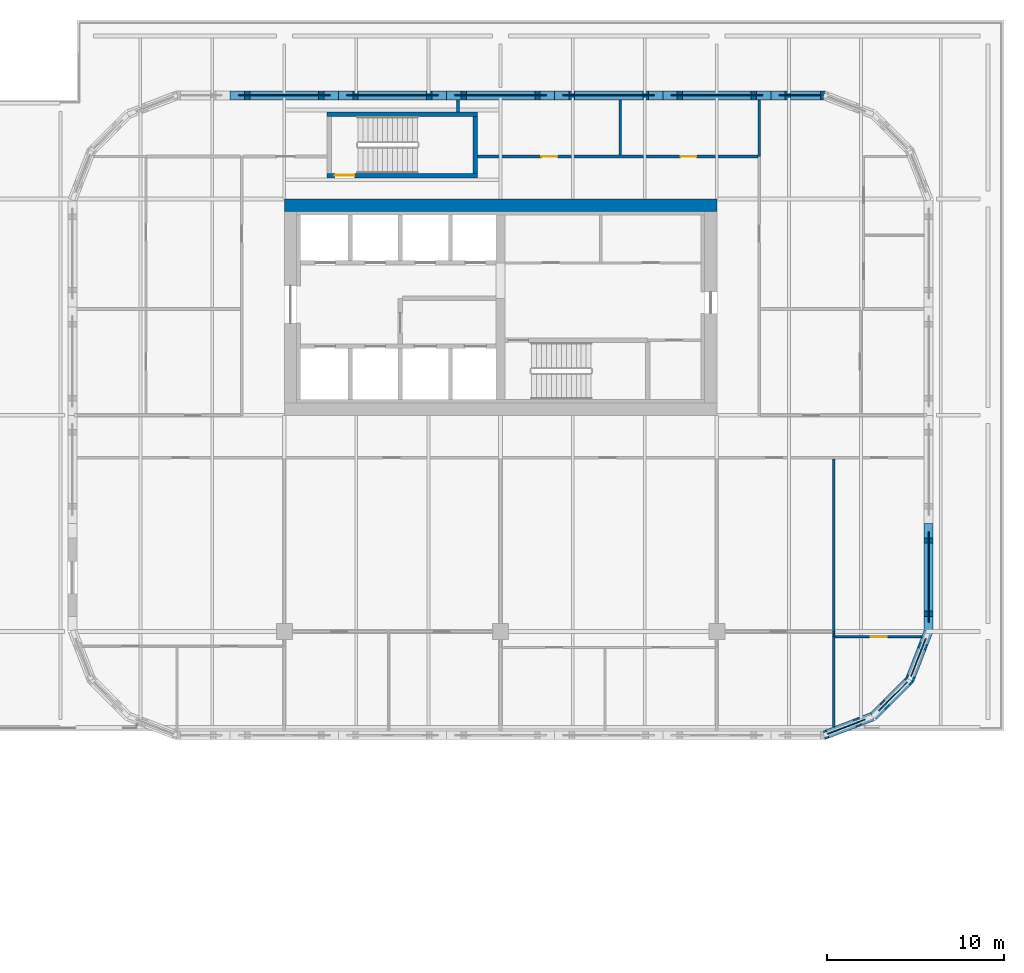
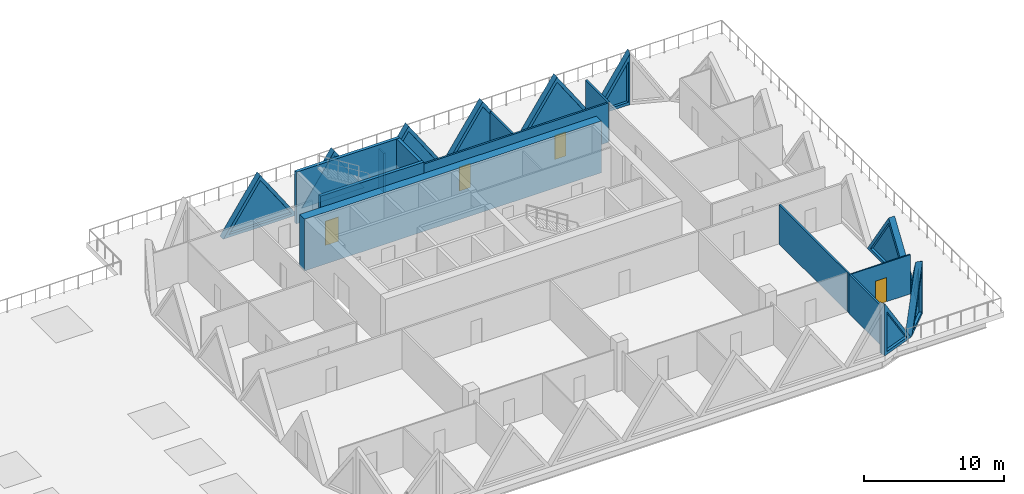
# One storey, part 16 of 21: 22 walls, 10 plates, 4 doors, 14 openings.
"""IFC4 building model written with IfcOpenShell, lengths in metres."""

from ifc_helpers import new_model, si_unit, direction, frame, frame_2d, origin, place, context, subcontext, project, spatial, polyline, rectangle, outline, extrude, faceted_brep, source, transform, mapped, material, layer, layer_set, type_object, element, fill, save


model = new_model("IFC4")

# Units and contexts
model_context = context("Model", 3, precision=1e-05, world=origin(), true_north=direction((0.0, 1.0)))
body_context = subcontext(model_context, "Body", "Model", "MODEL_VIEW")
ifc_project = project(units=[si_unit("LENGTHUNIT", "METRE"), si_unit("AREAUNIT", "SQUARE_METRE"), si_unit("VOLUMEUNIT", "CUBIC_METRE"), si_unit("PLANEANGLEUNIT", "RADIAN"), si_unit("MASSUNIT", "GRAM", prefix="KILO")], contexts=[model_context])

# Site, building, storey
site_placement = place(None, origin())
site = spatial("IfcSite", under=ifc_project, at=site_placement, CompositionType="ELEMENT")
building_placement = place(site_placement, origin())
building = spatial("IfcBuilding", under=site, at=building_placement, Name="Tessera Gate Towers", CompositionType="ELEMENT")
storey_placement = place(building_placement, frame((0.0, 0.0, 16.800048828125)))
storey = spatial("IfcBuildingStorey", under=building, at=storey_placement, Name="L03", CompositionType="ELEMENT", Elevation=16.800048828125)

# Wall, opening, door
ifc_material_1 = material(Name="Concrete C40/50", Category="concrete")
ifc_layer_1 = layer(ifc_material_1, 0.25)
ifc_layer_set_1 = layer_set([ifc_layer_1], Name="CORE ENCLOSURE WALL 250")
wall_type_1 = type_object("IfcWallType", Name="CORE ENCLOSURE WALL 250", PredefinedType="SOLIDWALL", material=ifc_layer_set_1)
wall_1_placement = place(storey_placement, frame((108.5, 50.125, 0.0), z_axis=(0.0, 0.0, 1.0), x_axis=(-1.0, 0.0, 0.0)))
wall_1 = element("IfcWall", 1, at=wall_1_placement, inside=storey, type_object=wall_type_1, Name="L03 ST7 enclosure wall", PredefinedType="SOLIDWALL", context=body_context, shape_type="SweptSolid", body=[
    extrude(rectangle(XDim=8.5, YDim=0.25, at=frame_2d((4.25, 0.0))), origin(), (0.0, 0.0, 1.0), 4.5),
])
shared_shape_1 = source(origin(), body_context, "Body", "SweptSolid", [
    extrude(rectangle(XDim=1.10009765625, YDim=2.10009765625, at=frame_2d((0.550048828125, 1.050048828125))), frame((0.0, 0.135009765625, 0.0), z_axis=(0.0, -1.0, 0.0), x_axis=(1.0, 0.0, 0.0)), (0.0, 0.0, 1.0), 0.27001953125),
])
opening_1_placement = place(wall_1_placement, frame((6.949951171875, 0.0, 0.0)))
opening_1 = element("IfcOpeningElement", 2, at=opening_1_placement, cuts=wall_1, Name="Opening SD-ST7-1", PredefinedType="OPENING", context=body_context, shape_type="MappedRepresentation", body=[
    mapped(shared_shape_1, transform((0.0, 0.0, 0.0), scale=1.0)),
])
ifc_material_2 = material(Name="Hollow steel fire door", Category="steel")
door_type_1 = type_object("IfcDoorType", Name="CORE DOOR SD1100 1100x2100", OperationType="NOTDEFINED", PredefinedType="DOOR", material=ifc_material_2)
shared_shape_2 = source(origin(), body_context, "Body", "SweptSolid", [
    extrude(rectangle(XDim=1.10009765625, YDim=2.10009765625, at=frame_2d((0.550048828125, 1.050048828125))), frame((0.0, 0.02490234375, 0.0), z_axis=(0.0, -1.0, 0.0), x_axis=(1.0, 0.0, 0.0)), (0.0, 0.0, 1.0), 0.050048828125),
])
door_1_placement = place(opening_1_placement, origin())
door_1 = element("IfcDoor", 3, at=door_1_placement, inside=storey, type_object=door_type_1, Name="Stair door", OperationType="SINGLE_SWING_RIGHT", OverallHeight=2.10009765625, OverallWidth=1.10009765625, PredefinedType="DOOR", context=body_context, shape_type="MappedRepresentation", body=[
    mapped(shared_shape_2, transform((0.0, 0.0, 0.0), scale=1.0)),
])
fill(opening_1, door_1)

# Walls
wall_2_placement = place(storey_placement, frame((100.0, 53.574951171875, 0.0), z_axis=(0.0, 0.0, 1.0), x_axis=(1.0, 0.0, 0.0)))
element("IfcWall", 4, at=wall_2_placement, inside=storey, type_object=wall_type_1, Name="L03 ST7 enclosure wall", PredefinedType="SOLIDWALL", context=body_context, shape_type="SweptSolid", body=[
    extrude(rectangle(XDim=8.5, YDim=0.25, at=frame_2d((4.25, 0.0))), origin(), (0.0, 0.0, 1.0), 4.5),
])
wall_3_placement = place(storey_placement, frame((108.375, 53.449951171875, 0.0), z_axis=(0.0, 0.0, 1.0), x_axis=(0.0, -1.0, 0.0)))
element("IfcWall", 5, at=wall_3_placement, inside=storey, type_object=wall_type_1, Name="L03 ST7 enclosure wall", PredefinedType="SOLIDWALL", context=body_context, shape_type="SweptSolid", body=[
    extrude(rectangle(XDim=3.199951171875, YDim=0.25, at=frame_2d((1.60009765625, 0.0))), origin(), (0.0, 0.0, 1.0), 4.5),
])
ifc_material_3 = material(Name="Concrete C60/75", Category="concrete")
ifc_layer_2 = layer(ifc_material_3, 0.699951171875)
ifc_layer_set_2 = layer_set([ifc_layer_2], Name="CORE SHEAR WALL 700 C60/75")
wall_type_2 = type_object("IfcWallType", Name="CORE SHEAR WALL 700 C60/75", PredefinedType="SHEAR", material=ifc_layer_set_2)
wall_4_placement = place(storey_placement, frame((97.60009765625, 48.449951171875, 0.0), z_axis=(0.0, 0.0, 1.0), x_axis=(1.0, 0.0, 0.0)))
element("IfcWall", 6, at=wall_4_placement, inside=storey, type_object=wall_type_2, Name="Core wall N L03", PredefinedType="SHEAR", context=body_context, shape_type="SweptSolid", body=[
    extrude(rectangle(XDim=24.39990234375, YDim=0.699951171875, at=frame_2d((12.199951171875, 0.0))), origin(), (0.0, 0.0, 1.0), 4.5),
])

# Wall, openings, doors
ifc_material_4 = material(Name="Gypsum board on steel studs, mineral wool", Category="steel")
ifc_layer_3 = layer(ifc_material_4, 0.14990234375)
ifc_layer_set_3 = layer_set([ifc_layer_3], Name="CORRIDOR WALL 150")
wall_type_3 = type_object("IfcWallType", Name="CORRIDOR WALL 150", PredefinedType="PARTITIONING", material=ifc_layer_set_3)
wall_5_placement = place(storey_placement, frame((108.5, 51.199951171875, 0.0), z_axis=(0.0, 0.0, 1.0), x_axis=(1.0, 0.0, 0.0)))
wall_5 = element("IfcWall", 7, at=wall_5_placement, inside=storey, type_object=wall_type_3, Name="T2-L03-PW-038", PredefinedType="PARTITIONING", context=body_context, shape_type="SweptSolid", body=[
    extrude(rectangle(XDim=15.823974609375, YDim=0.14990234375, at=frame_2d((7.912109375, 0.0))), origin(), (0.0, 0.0, 1.0), 3.4150390625),
])
shared_shape_3 = source(origin(), body_context, "Body", "SweptSolid", [
    extrude(rectangle(XDim=0.89990234375, YDim=2.10009765625, at=frame_2d((0.449951171875, 1.050048828125))), frame((0.0, 0.0849609375, 0.0), z_axis=(0.0, -1.0, 0.0), x_axis=(1.0, 0.0, 0.0)), (0.0, 0.0, 1.0), 0.169921875),
])
opening_2_placement = place(wall_5_placement, frame((11.450927734375, 0.0, 0.0)))
opening_2 = element("IfcOpeningElement", 8, at=opening_2_placement, cuts=wall_5, Name="Opening D890FD60-B01-03", PredefinedType="OPENING", context=body_context, shape_type="MappedRepresentation", body=[
    mapped(shared_shape_3, transform((0.0, 0.0, 0.0), scale=1.0)),
])
opening_3_placement = place(wall_5_placement, frame((3.60009765625, 0.0, 0.0)))
opening_3 = element("IfcOpeningElement", 9, at=opening_3_placement, cuts=wall_5, Name="Opening D890FD60-B01-04", PredefinedType="OPENING", context=body_context, shape_type="MappedRepresentation", body=[
    mapped(shared_shape_3, transform((0.0, 0.0, 0.0), scale=1.0)),
])
ifc_material_5 = material(Name="Timber door leaf in steel frame", Category="steel")
door_type_2 = type_object("IfcDoorType", Name="CORRIDOR DOOR 900 FD60", OperationType="NOTDEFINED", PredefinedType="DOOR", material=ifc_material_5)
shared_shape_4 = source(origin(), body_context, "Body", "SweptSolid", [
    extrude(rectangle(XDim=0.89990234375, YDim=2.10009765625, at=frame_2d((0.449951171875, 1.050048828125))), frame((0.0, 0.02490234375, 0.0), z_axis=(0.0, -1.0, 0.0), x_axis=(1.0, 0.0, 0.0)), (0.0, 0.0, 1.0), 0.050048828125),
])
door_2_placement = place(opening_2_placement, origin())
door_2 = element("IfcDoor", 10, at=door_2_placement, inside=storey, type_object=door_type_2, Name="T2-L03-PD-016", OperationType="SINGLE_SWING_LEFT", OverallHeight=2.10009765625, OverallWidth=0.89990234375, PredefinedType="DOOR", context=body_context, shape_type="MappedRepresentation", body=[
    mapped(shared_shape_4, transform((0.0, 0.0, 0.0), scale=1.0)),
])
fill(opening_2, door_2)
door_3_placement = place(opening_3_placement, origin())
door_3 = element("IfcDoor", 11, at=door_3_placement, inside=storey, type_object=door_type_2, Name="T2-L03-PD-017", OperationType="SINGLE_SWING_LEFT", OverallHeight=2.10009765625, OverallWidth=0.89990234375, PredefinedType="DOOR", context=body_context, shape_type="MappedRepresentation", body=[
    mapped(shared_shape_4, transform((0.0, 0.0, 0.0), scale=1.0)),
])
fill(opening_3, door_3)

# Wall, opening, door
ifc_material_6 = material(Name="Glass", Category="glass")
ifc_layer_4 = layer(ifc_material_6, 0.10009765625)
ifc_layer_set_4 = layer_set([ifc_layer_4], Name="GLAZED PARTITION 100")
wall_type_4 = type_object("IfcWallType", Name="GLAZED PARTITION 100", PredefinedType="PARTITIONING", material=ifc_layer_set_4)
wall_6_placement = place(storey_placement, frame((133.55419921875, 24.114990234375, 0.0), z_axis=(0.0, 0.0, 1.0), x_axis=(-1.0, 0.0, 0.0)))
wall_6 = element("IfcWall", 12, at=wall_6_placement, inside=storey, type_object=wall_type_4, Name="T2-L03-PW-013", PredefinedType="PARTITIONING", context=body_context, shape_type="SweptSolid", body=[
    extrude(rectangle(XDim=4.878173828125, YDim=0.10009765625, at=frame_2d((2.43896484375, 0.0))), origin(), (0.0, 0.0, 1.0), 3.4150390625),
])
shared_shape_5 = source(origin(), body_context, "Body", "SweptSolid", [
    extrude(rectangle(XDim=0.89990234375, YDim=2.10009765625, at=frame_2d((0.449951171875, 1.050048828125))), frame((0.0, 0.06005859375, 0.0), z_axis=(0.0, -1.0, 0.0), x_axis=(1.0, 0.0, 0.0)), (0.0, 0.0, 1.0), 0.1201171875),
])
opening_4_placement = place(wall_6_placement, frame((1.97802734375, 0.0, 0.0)))
opening_4 = element("IfcOpeningElement", 13, at=opening_4_placement, cuts=wall_6, Name="Opening D690-B01-01", PredefinedType="OPENING", context=body_context, shape_type="MappedRepresentation", body=[
    mapped(shared_shape_5, transform((0.0, 0.0, 0.0), scale=1.0)),
])
ifc_material_7 = material(Name="Glass in aluminium frame", Category="aluminium")
door_type_3 = type_object("IfcDoorType", Name="GLAZED DOOR 900 NOT RATED", OperationType="NOTDEFINED", PredefinedType="DOOR", material=ifc_material_7)
door_4_placement = place(opening_4_placement, origin())
door_4 = element("IfcDoor", 14, at=door_4_placement, inside=storey, type_object=door_type_3, Name="T2-L03-PD-003", OperationType="SINGLE_SWING_RIGHT", OverallHeight=2.10009765625, OverallWidth=0.89990234375, PredefinedType="DOOR", context=body_context, shape_type="MappedRepresentation", body=[
    mapped(shared_shape_4, transform((0.0, 0.0, 0.0), scale=1.0)),
])
fill(opening_4, door_4)

# Walls
wall_7_placement = place(storey_placement, frame((128.60009765625, 24.115966796875, 0.0), z_axis=(0.0, 0.0, 1.0), x_axis=(0.0, 1.0, 0.0)))
element("IfcWall", 15, at=wall_7_placement, inside=storey, type_object=wall_type_4, Name="T2-L03-PW-014", PredefinedType="PARTITIONING", context=body_context, shape_type="SweptSolid", body=[
    extrude(rectangle(XDim=0.282958984375, YDim=0.10009765625, at=frame_2d((0.1416015625, 0.0))), origin(), (0.0, 0.0, 1.0), 3.4150390625),
])
ifc_material_8 = material(Name="Gypsum board on steel studs, mineral wool", Category="steel")
ifc_layer_5 = layer(ifc_material_8, 0.14990234375)
ifc_layer_set_5 = layer_set([ifc_layer_5], Name="TENANCY WALL 150")
wall_type_5 = type_object("IfcWallType", Name="TENANCY WALL 150", PredefinedType="PARTITIONING", material=ifc_layer_set_5)
wall_8_placement = place(storey_placement, frame((128.60009765625, 19.02880859375, 0.0), z_axis=(0.0, 0.0, 1.0), x_axis=(0.0, 1.0, 0.0)))
element("IfcWall", 16, at=wall_8_placement, inside=storey, type_object=wall_type_5, Name="T2-L03-PW-007", PredefinedType="PARTITIONING", context=body_context, shape_type="SweptSolid", body=[
    extrude(rectangle(XDim=5.086181640625, YDim=0.14990234375, at=frame_2d((2.54296875, 0.0))), origin(), (0.0, 0.0, 1.0), 3.4150390625),
])
wall_9_placement = place(storey_placement, frame((128.60009765625, 24.39990234375, 0.0), z_axis=(0.0, 0.0, 1.0), x_axis=(0.0, 1.0, 0.0)))
element("IfcWall", 17, at=wall_9_placement, inside=storey, type_object=wall_type_5, Name="T2-L03-PW-018", PredefinedType="PARTITIONING", context=body_context, shape_type="SweptSolid", body=[
    extrude(rectangle(XDim=9.72412109375, YDim=0.14990234375, at=frame_2d((4.862060546875, 0.0))), origin(), (0.0, 0.0, 1.0), 3.4150390625),
])
wall_10_placement = place(storey_placement, frame((124.39990234375, 51.200927734375, 0.0), z_axis=(0.0, 0.0, 1.0), x_axis=(0.0, 1.0, 0.0)))
element("IfcWall", 18, at=wall_10_placement, inside=storey, type_object=wall_type_5, Name="T2-L03-PW-039", PredefinedType="PARTITIONING", context=body_context, shape_type="SweptSolid", body=[
    extrude(rectangle(XDim=3.198974609375, YDim=0.14990234375, at=frame_2d((1.599609375, 0.0))), origin(), (0.0, 0.0, 1.0), 3.4150390625),
])
wall_11_placement = place(storey_placement, frame((116.550048828125, 51.27587890625, 0.0), z_axis=(0.0, 0.0, 1.0), x_axis=(0.0, 1.0, 0.0)))
element("IfcWall", 19, at=wall_11_placement, inside=storey, type_object=wall_type_5, Name="T2-L03-PW-041", PredefinedType="PARTITIONING", context=body_context, shape_type="SweptSolid", body=[
    extrude(rectangle(XDim=3.1240234375, YDim=0.14990234375, at=frame_2d((1.56201171875, 0.0))), origin(), (0.0, 0.0, 1.0), 3.4150390625),
])
wall_12_placement = place(storey_placement, frame((107.39990234375, 53.699951171875, 0.0), z_axis=(0.0, 0.0, 1.0), x_axis=(0.0, 1.0, 0.0)))
element("IfcWall", 20, at=wall_12_placement, inside=storey, type_object=wall_type_5, Name="T2-L03-PW-042", PredefinedType="PARTITIONING", context=body_context, shape_type="SweptSolid", body=[
    extrude(rectangle(XDim=0.699951171875, YDim=0.14990234375, at=frame_2d((0.35009765625, 0.0))), origin(), (0.0, 0.0, 1.0), 3.4150390625),
])

# Wall, opening, plate
ifc_material_9 = material(Name="Precast concrete C60/75 white", Category="concrete")
ifc_layer_6 = layer(ifc_material_9, 0.5)
ifc_layer_set_6 = layer_set([ifc_layer_6], Name="TS3 corner tessera")
wall_type_6 = type_object("IfcWallType", Name="TS3 corner tessera", PredefinedType="SOLIDWALL", material=ifc_layer_set_6)
shared_shape_6 = source(origin(), body_context, "Body", "Brep", [
    faceted_brep([(3.050048828125, -0.25, 0.0), (0.046630859375, -0.25, 4.5), (0.0, -0.25, 4.428955078125), (0.0, -0.25, 0.0), (0.09326171875, 0.25, 4.43017578125), (3.050048828125, 0.25, 0.0), (0.09326171875, 0.25, 0.0), (0.046630859375, 0.0, 4.5)], [[[0, 1, 2, 3]], [[4, 5, 6]], [[5, 4, 7, 1, 0]], [[2, 1, 7]], [[6, 5, 0, 3]], [[6, 3, 2, 7, 4]]]),
])
wall_13_placement = place(storey_placement, frame((128.10009765625, 54.64990234375, 0.0), z_axis=(0.0, 0.0, 1.0), x_axis=(-1.0, 0.0, 0.0)))
wall_13 = element("IfcWall", 21, at=wall_13_placement, inside=storey, type_object=wall_type_6, Name="Precast corner tessera T2 TS3-0010", PredefinedType="SOLIDWALL", context=body_context, shape_type="MappedRepresentation", body=[
    mapped(shared_shape_6, transform((0.0, 0.0, 0.0), scale=1.0)),
])
shared_shape_7 = source(origin(), body_context, "Body", "SweptSolid", [
    extrude(outline(polyline([(2.582763671875, 0.25), (0.24658203125, 3.75), (0.24658203125, 0.25), (2.582763671875, 0.25)])), frame((0.0, 0.260009765625, 0.0), z_axis=(0.0, -1.0, 0.0), x_axis=(1.0, 0.0, 0.0)), (0.0, 0.0, 1.0), 0.52001953125),
])
opening_5_placement = place(wall_13_placement, origin())
opening_5 = element("IfcOpeningElement", 22, at=opening_5_placement, cuts=wall_13, Name="Opening T2-PL1-0019", PredefinedType="OPENING", context=body_context, shape_type="MappedRepresentation", body=[
    mapped(shared_shape_7, transform((0.0, 0.0, 0.0), scale=1.0)),
])
ifc_material_10 = material(Name="Low-e laminated glass", Category="glass")
ifc_layer_7 = layer(ifc_material_10, 0.06005859375)
ifc_layer_set_7 = layer_set([ifc_layer_7], Name="PL1 triangular pane")
plate_type = type_object("IfcPlateType", Name="PL1 triangular pane", PredefinedType="SHEET", material=ifc_layer_set_7)
shared_shape_8 = source(origin(), body_context, "Body", "SweptSolid", [
    extrude(outline(polyline([(2.582763671875, 0.25), (0.24658203125, 3.75), (0.24658203125, 0.25), (2.582763671875, 0.25)])), frame((0.0, 0.030029296875, 0.0), z_axis=(0.0, -1.0, 0.0), x_axis=(1.0, 0.0, 0.0)), (0.0, 0.0, 1.0), 0.06005859375),
])
plate_1_placement = place(opening_5_placement, origin())
plate_1 = element("IfcPlate", 23, at=plate_1_placement, inside=storey, type_object=plate_type, Name="Glass pane T2 PL1-0019", PredefinedType="SHEET", context=body_context, shape_type="MappedRepresentation", body=[
    mapped(shared_shape_8, transform((0.0, 0.0, 0.0), scale=1.0)),
])
fill(opening_5, plate_1)

ifc_material_11 = material(Name="Precast concrete C60/75 white", Category="concrete")
ifc_layer_8 = layer(ifc_material_11, 0.5)
ifc_layer_set_8 = layer_set([ifc_layer_8], Name="TS2 half tessera")
wall_type_7 = type_object("IfcWallType", Name="TS2 half tessera", PredefinedType="SOLIDWALL", material=ifc_layer_set_8)
shared_shape_9 = source(origin(), body_context, "Body", "Brep", [
    faceted_brep([(6.099853515625, -0.25, 0.000244140625), (3.050048828125, -0.25, 4.5), (0.0, -0.25, 0.0), (6.099853515625, -0.25, 0.0), (0.0, 0.25, 0.0), (3.050048828125, 0.25, 4.5), (6.099853515625, 0.25, 0.000244140625), (6.099853515625, 0.25, 0.0)], [[[0, 1, 2, 3]], [[4, 5, 6, 7]], [[6, 5, 1, 0]], [[5, 4, 2, 1]], [[4, 7, 3, 2]], [[3, 7, 6, 0]]]),
])
wall_14_placement = place(storey_placement, frame((118.949951171875, 54.64990234375, 0.0), z_axis=(0.0, 0.0, 1.0), x_axis=(-1.0, 0.0, 0.0)))
wall_14 = element("IfcWall", 24, at=wall_14_placement, inside=storey, type_object=wall_type_7, Name="Precast half tessera T2 TS2-0011", PredefinedType="SOLIDWALL", context=body_context, shape_type="MappedRepresentation", body=[
    mapped(shared_shape_9, transform((0.0, 0.0, 0.0), scale=1.0)),
])
shared_shape_10 = source(origin(), body_context, "Body", "SweptSolid", [
    extrude(outline(polyline([(5.628662109375, 0.25), (3.050048828125, 4.054443359375), (0.471435546875, 0.25), (5.628662109375, 0.25)])), frame((0.0, 0.260009765625, 0.0), z_axis=(0.0, -1.0, 0.0), x_axis=(1.0, 0.0, 0.0)), (0.0, 0.0, 1.0), 0.52001953125),
])
opening_6_placement = place(wall_14_placement, origin())
opening_6 = element("IfcOpeningElement", 25, at=opening_6_placement, cuts=wall_14, Name="Opening T2-PL1-0021", PredefinedType="OPENING", context=body_context, shape_type="MappedRepresentation", body=[
    mapped(shared_shape_10, transform((0.0, 0.0, 0.0), scale=1.0)),
])
shared_shape_11 = source(origin(), body_context, "Body", "SweptSolid", [
    extrude(outline(polyline([(5.628662109375, 0.25), (3.050048828125, 4.054443359375), (0.471435546875, 0.25), (5.628662109375, 0.25)])), frame((0.0, 0.030029296875, 0.0), z_axis=(0.0, -1.0, 0.0), x_axis=(1.0, 0.0, 0.0)), (0.0, 0.0, 1.0), 0.06005859375),
])
plate_2_placement = place(opening_6_placement, origin())
plate_2 = element("IfcPlate", 26, at=plate_2_placement, inside=storey, type_object=plate_type, Name="Glass pane T2 PL1-0021", PredefinedType="SHEET", context=body_context, shape_type="MappedRepresentation", body=[
    mapped(shared_shape_11, transform((0.0, 0.0, 0.0), scale=1.0)),
])
fill(opening_6, plate_2)

wall_15_placement = place(storey_placement, frame((100.64990234375, 54.64990234375, 0.0), z_axis=(0.0, 0.0, 1.0), x_axis=(-1.0, 0.0, 0.0)))
wall_15 = element("IfcWall", 27, at=wall_15_placement, inside=storey, type_object=wall_type_7, Name="Precast half tessera T2 TS2-0014", PredefinedType="SOLIDWALL", context=body_context, shape_type="MappedRepresentation", body=[
    mapped(shared_shape_9, transform((0.0, 0.0, 0.0), scale=1.0)),
])
opening_7_placement = place(wall_15_placement, origin())
opening_7 = element("IfcOpeningElement", 28, at=opening_7_placement, cuts=wall_15, Name="Opening T2-PL1-0024", PredefinedType="OPENING", context=body_context, shape_type="MappedRepresentation", body=[
    mapped(shared_shape_10, transform((0.0, 0.0, 0.0), scale=1.0)),
])
plate_3_placement = place(opening_7_placement, origin())
plate_3 = element("IfcPlate", 29, at=plate_3_placement, inside=storey, type_object=plate_type, Name="Glass pane T2 PL1-0024", PredefinedType="SHEET", context=body_context, shape_type="MappedRepresentation", body=[
    mapped(shared_shape_11, transform((0.0, 0.0, 0.0), scale=1.0)),
])
fill(opening_7, plate_3)

shared_shape_12 = source(origin(), body_context, "Body", "SweptSolid", [
    extrude(outline(polyline([(6.10009765625, 0.0), (3.050048828125, 4.5), (0.0, 0.0), (6.10009765625, 0.0)])), frame((0.0, 0.25, 0.0), z_axis=(0.0, -1.0, 0.0), x_axis=(1.0, 0.0, 0.0)), (0.0, 0.0, 1.0), 0.5),
])
wall_16_placement = place(storey_placement, frame((125.050048828125, 54.64990234375, 0.0), z_axis=(0.0, 0.0, 1.0), x_axis=(-1.0, 0.0, 0.0)))
wall_16 = element("IfcWall", 30, at=wall_16_placement, inside=storey, type_object=wall_type_7, Name="Precast half tessera T2 TS2-0010", PredefinedType="SOLIDWALL", context=body_context, shape_type="MappedRepresentation", body=[
    mapped(shared_shape_12, transform((0.0, 0.0, 0.0), scale=1.0)),
])
opening_8_placement = place(wall_16_placement, origin())
opening_8 = element("IfcOpeningElement", 31, at=opening_8_placement, cuts=wall_16, Name="Opening T2-PL1-0020", PredefinedType="OPENING", context=body_context, shape_type="MappedRepresentation", body=[
    mapped(shared_shape_10, transform((0.0, 0.0, 0.0), scale=1.0)),
])
plate_4_placement = place(opening_8_placement, origin())
plate_4 = element("IfcPlate", 32, at=plate_4_placement, inside=storey, type_object=plate_type, Name="Glass pane T2 PL1-0020", PredefinedType="SHEET", context=body_context, shape_type="MappedRepresentation", body=[
    mapped(shared_shape_11, transform((0.0, 0.0, 0.0), scale=1.0)),
])
fill(opening_8, plate_4)

wall_17_placement = place(storey_placement, frame((112.85009765625, 54.64990234375, 0.0), z_axis=(0.0, 0.0, 1.0), x_axis=(-1.0, 0.0, 0.0)))
wall_17 = element("IfcWall", 33, at=wall_17_placement, inside=storey, type_object=wall_type_7, Name="Precast half tessera T2 TS2-0012", PredefinedType="SOLIDWALL", context=body_context, shape_type="MappedRepresentation", body=[
    mapped(shared_shape_12, transform((0.0, 0.0, 0.0), scale=1.0)),
])
opening_9_placement = place(wall_17_placement, origin())
opening_9 = element("IfcOpeningElement", 34, at=opening_9_placement, cuts=wall_17, Name="Opening T2-PL1-0022", PredefinedType="OPENING", context=body_context, shape_type="MappedRepresentation", body=[
    mapped(shared_shape_10, transform((0.0, 0.0, 0.0), scale=1.0)),
])
plate_5_placement = place(opening_9_placement, origin())
plate_5 = element("IfcPlate", 35, at=plate_5_placement, inside=storey, type_object=plate_type, Name="Glass pane T2 PL1-0022", PredefinedType="SHEET", context=body_context, shape_type="MappedRepresentation", body=[
    mapped(shared_shape_11, transform((0.0, 0.0, 0.0), scale=1.0)),
])
fill(opening_9, plate_5)

wall_18_placement = place(storey_placement, frame((106.75, 54.64990234375, 0.0), z_axis=(0.0, 0.0, 1.0), x_axis=(-1.0, 0.0, 0.0)))
wall_18 = element("IfcWall", 36, at=wall_18_placement, inside=storey, type_object=wall_type_7, Name="Precast half tessera T2 TS2-0013", PredefinedType="SOLIDWALL", context=body_context, shape_type="MappedRepresentation", body=[
    mapped(shared_shape_12, transform((0.0, 0.0, 0.0), scale=1.0)),
])
opening_10_placement = place(wall_18_placement, origin())
opening_10 = element("IfcOpeningElement", 37, at=opening_10_placement, cuts=wall_18, Name="Opening T2-PL1-0023", PredefinedType="OPENING", context=body_context, shape_type="MappedRepresentation", body=[
    mapped(shared_shape_10, transform((0.0, 0.0, 0.0), scale=1.0)),
])
plate_6_placement = place(opening_10_placement, origin())
plate_6 = element("IfcPlate", 38, at=plate_6_placement, inside=storey, type_object=plate_type, Name="Glass pane T2 PL1-0023", PredefinedType="SHEET", context=body_context, shape_type="MappedRepresentation", body=[
    mapped(shared_shape_11, transform((0.0, 0.0, 0.0), scale=1.0)),
])
fill(opening_10, plate_6)

shared_shape_13 = source(origin(), body_context, "Body", "Brep", [
    faceted_brep([(2.9970703125, -0.25, 0.0), (0.046630859375, -0.25, 4.5), (0.0, -0.25, 4.43017578125), (0.0, -0.25, 0.0), (0.09326171875, 0.25, 4.428955078125), (2.9443359375, 0.25, 0.08056640625), (2.9443359375, 0.25, 0.0), (0.09326171875, 0.25, 0.0), (0.046630859375, 0.0, 4.5), (2.9970703125, 0.00048828125, 0.0)], [[[0, 1, 2, 3]], [[4, 5, 6, 7]], [[5, 4, 8, 1, 0, 9]], [[2, 1, 8]], [[7, 6, 9, 0, 3]], [[7, 3, 2, 8, 4]], [[9, 6, 5]]]),
])
wall_19_placement = place(storey_placement, frame((128.010009765625, 18.533203125, 0.0), z_axis=(0.0, 0.0, 1.0), x_axis=(0.932990326376, 0.359901446078, 0.0)))
wall_19 = element("IfcWall", 39, at=wall_19_placement, inside=storey, type_object=wall_type_6, Name="Precast corner tessera T2 TS3-0004", PredefinedType="SOLIDWALL", context=body_context, shape_type="MappedRepresentation", body=[
    mapped(shared_shape_13, transform((0.0, 0.0, 0.0), scale=1.0)),
])
shared_shape_14 = source(origin(), body_context, "Body", "SweptSolid", [
    extrude(outline(polyline([(2.5341796875, 0.25), (0.24658203125, 3.739013671875), (0.24658203125, 0.25), (2.5341796875, 0.25)])), frame((0.0, 0.260009765625, 0.0), z_axis=(0.0, -1.0, 0.0), x_axis=(1.0, 0.0, 0.0)), (0.0, 0.0, 1.0), 0.52001953125),
])
opening_11_placement = place(wall_19_placement, origin())
opening_11 = element("IfcOpeningElement", 40, at=opening_11_placement, cuts=wall_19, Name="Opening T2-PL1-0009", PredefinedType="OPENING", context=body_context, shape_type="MappedRepresentation", body=[
    mapped(shared_shape_14, transform((0.0, 0.0, 0.0), scale=1.0)),
])
shared_shape_15 = source(origin(), body_context, "Body", "SweptSolid", [
    extrude(outline(polyline([(2.5341796875, 0.25), (0.24658203125, 3.739013671875), (0.24658203125, 0.25), (2.5341796875, 0.25)])), frame((0.0, 0.030029296875, 0.0), z_axis=(0.0, -1.0, 0.0), x_axis=(1.0, 0.0, 0.0)), (0.0, 0.0, 1.0), 0.06005859375),
])
plate_7_placement = place(opening_11_placement, origin())
plate_7 = element("IfcPlate", 41, at=plate_7_placement, inside=storey, type_object=plate_type, Name="Glass pane T2 PL1-0009", PredefinedType="SHEET", context=body_context, shape_type="MappedRepresentation", body=[
    mapped(shared_shape_15, transform((0.0, 0.0, 0.0), scale=1.0)),
])
fill(opening_11, plate_7)

shared_shape_16 = source(origin(), body_context, "Body", "Brep", [
    faceted_brep([(6.053466796875, -0.25, 0.0), (3.00341796875, -0.25, 4.5), (0.0, -0.25, 0.0), (0.046630859375, 0.25, 0.06982421875), (3.00341796875, 0.25, 4.5), (6.053466796875, 0.25, 0.0), (0.046630859375, 0.25, 0.0), (0.0, 0.0, 0.0)], [[[0, 1, 2]], [[3, 4, 5, 6]], [[5, 4, 1, 0]], [[4, 3, 7, 2, 1]], [[6, 5, 0, 2, 7]], [[6, 7, 3]]]),
])
wall_20_placement = place(storey_placement, frame((133.949951171875, 24.446533203125, 0.0), z_axis=(0.0, 0.0, 1.0), x_axis=(0.0, 1.0, 0.0)))
wall_20 = element("IfcWall", 42, at=wall_20_placement, inside=storey, type_object=wall_type_7, Name="Precast half tessera T2 TS2-0006", PredefinedType="SOLIDWALL", context=body_context, shape_type="MappedRepresentation", body=[
    mapped(shared_shape_16, transform((0.0, 0.0, 0.0), scale=1.0)),
])
shared_shape_17 = source(origin(), body_context, "Body", "SweptSolid", [
    extrude(outline(polyline([(5.58203125, 0.25), (3.005126953125, 4.052001953125), (0.467529296875, 0.25), (5.58203125, 0.25)])), frame((0.0, 0.260009765625, 0.0), z_axis=(0.0, -1.0, 0.0), x_axis=(1.0, 0.0, 0.0)), (0.0, 0.0, 1.0), 0.52001953125),
])
opening_12_placement = place(wall_20_placement, origin())
opening_12 = element("IfcOpeningElement", 43, at=opening_12_placement, cuts=wall_20, Name="Opening T2-PL1-0012", PredefinedType="OPENING", context=body_context, shape_type="MappedRepresentation", body=[
    mapped(shared_shape_17, transform((0.0, 0.0, 0.0), scale=1.0)),
])
shared_shape_18 = source(origin(), body_context, "Body", "SweptSolid", [
    extrude(outline(polyline([(5.58203125, 0.25), (3.005126953125, 4.052001953125), (0.467529296875, 0.25), (5.58203125, 0.25)])), frame((0.0, 0.030029296875, 0.0), z_axis=(0.0, -1.0, 0.0), x_axis=(1.0, 0.0, 0.0)), (0.0, 0.0, 1.0), 0.06005859375),
])
plate_8_placement = place(opening_12_placement, origin())
plate_8 = element("IfcPlate", 44, at=plate_8_placement, inside=storey, type_object=plate_type, Name="Glass pane T2 PL1-0012", PredefinedType="SHEET", context=body_context, shape_type="MappedRepresentation", body=[
    mapped(shared_shape_18, transform((0.0, 0.0, 0.0), scale=1.0)),
])
fill(opening_12, plate_8)

shared_shape_19 = source(origin(), body_context, "Body", "Brep", [
    faceted_brep([(2.9970703125, -0.25, 4.419189453125), (2.944091796875, -0.25, 4.5), (0.0, -0.25, 0.0), (2.9970703125, -0.25, 0.0), (0.052978515625, 0.25, 0.080810546875), (2.89111328125, 0.25, 4.419189453125), (2.89111328125, 0.25, 0.0), (0.052978515625, 0.25, 0.0), (2.944091796875, 0.000244140625, 4.5), (0.0, 0.0, 0.0)], [[[0, 1, 2, 3]], [[4, 5, 6, 7]], [[8, 1, 0]], [[5, 4, 9, 2, 1, 8]], [[7, 6, 3, 2, 9]], [[7, 9, 4]], [[3, 6, 5, 8, 0]]]),
])
wall_21_placement = place(storey_placement, frame((130.80615234375, 19.61181640625, 0.0), z_axis=(0.0, 0.0, 1.0), x_axis=(0.707106781187, 0.707106781187, 0.0)))
wall_21 = element("IfcWall", 45, at=wall_21_placement, inside=storey, type_object=wall_type_6, Name="Precast corner tessera T2 TS3-0005", PredefinedType="SOLIDWALL", context=body_context, shape_type="MappedRepresentation", body=[
    mapped(shared_shape_19, transform((0.0, 0.0, 0.0), scale=1.0)),
])
shared_shape_20 = source(origin(), body_context, "Body", "SweptSolid", [
    extrude(outline(polyline([(2.744140625, 3.737548828125), (0.46240234375, 0.25), (2.744140625, 0.25), (2.744140625, 3.737548828125)])), frame((0.0, 0.260009765625, 0.0), z_axis=(0.0, -1.0, 0.0), x_axis=(1.0, 0.0, 0.0)), (0.0, 0.0, 1.0), 0.52001953125),
])
opening_13_placement = place(wall_21_placement, origin())
opening_13 = element("IfcOpeningElement", 46, at=opening_13_placement, cuts=wall_21, Name="Opening T2-PL1-0010", PredefinedType="OPENING", context=body_context, shape_type="MappedRepresentation", body=[
    mapped(shared_shape_20, transform((0.0, 0.0, 0.0), scale=1.0)),
])
shared_shape_21 = source(origin(), body_context, "Body", "SweptSolid", [
    extrude(outline(polyline([(2.744140625, 3.737548828125), (0.46240234375, 0.25), (2.744140625, 0.25), (2.744140625, 3.737548828125)])), frame((0.0, 0.030029296875, 0.0), z_axis=(0.0, -1.0, 0.0), x_axis=(1.0, 0.0, 0.0)), (0.0, 0.0, 1.0), 0.06005859375),
])
plate_9_placement = place(opening_13_placement, origin())
plate_9 = element("IfcPlate", 47, at=plate_9_placement, inside=storey, type_object=plate_type, Name="Glass pane T2 PL1-0010", PredefinedType="SHEET", context=body_context, shape_type="MappedRepresentation", body=[
    mapped(shared_shape_21, transform((0.0, 0.0, 0.0), scale=1.0)),
])
fill(opening_13, plate_9)

shared_shape_22 = source(origin(), body_context, "Body", "Brep", [
    faceted_brep([(3.00341796875, -0.25, 0.0), (0.052978515625, -0.25, 4.5), (0.0, -0.25, 4.419189453125), (0.0, -0.25, 0.0), (0.10595703125, 0.25, 4.419189453125), (2.95703125, 0.25, 0.07080078125), (2.95703125, 0.25, 0.0), (0.10595703125, 0.25, 0.0), (0.052978515625, 0.0, 4.5), (3.00341796875, 0.00048828125, 0.0)], [[[0, 1, 2, 3]], [[4, 5, 6, 7]], [[5, 4, 8, 1, 0, 9]], [[2, 1, 8]], [[7, 6, 9, 0, 3]], [[7, 3, 2, 8, 4]], [[9, 6, 5]]]),
])
wall_22_placement = place(storey_placement, frame((132.869140625, 21.644287109375, 0.0), z_axis=(0.0, 0.0, 1.0), x_axis=(0.359855894603, 0.933007896601, 0.0)))
wall_22 = element("IfcWall", 48, at=wall_22_placement, inside=storey, type_object=wall_type_6, Name="Precast corner tessera T2 TS3-0006", PredefinedType="SOLIDWALL", context=body_context, shape_type="MappedRepresentation", body=[
    mapped(shared_shape_22, transform((0.0, 0.0, 0.0), scale=1.0)),
])
shared_shape_23 = source(origin(), body_context, "Body", "SweptSolid", [
    extrude(outline(polyline([(2.54052734375, 0.25), (0.2529296875, 3.739013671875), (0.2529296875, 0.25), (2.54052734375, 0.25)])), frame((0.0, 0.260009765625, 0.0), z_axis=(0.0, -1.0, 0.0), x_axis=(1.0, 0.0, 0.0)), (0.0, 0.0, 1.0), 0.52001953125),
])
opening_14_placement = place(wall_22_placement, origin())
opening_14 = element("IfcOpeningElement", 49, at=opening_14_placement, cuts=wall_22, Name="Opening T2-PL1-0011", PredefinedType="OPENING", context=body_context, shape_type="MappedRepresentation", body=[
    mapped(shared_shape_23, transform((0.0, 0.0, 0.0), scale=1.0)),
])
shared_shape_24 = source(origin(), body_context, "Body", "SweptSolid", [
    extrude(outline(polyline([(2.54052734375, 0.25), (0.2529296875, 3.739013671875), (0.2529296875, 0.25), (2.54052734375, 0.25)])), frame((0.0, 0.030029296875, 0.0), z_axis=(0.0, -1.0, 0.0), x_axis=(1.0, 0.0, 0.0)), (0.0, 0.0, 1.0), 0.06005859375),
])
plate_10_placement = place(opening_14_placement, origin())
plate_10 = element("IfcPlate", 50, at=plate_10_placement, inside=storey, type_object=plate_type, Name="Glass pane T2 PL1-0011", PredefinedType="SHEET", context=body_context, shape_type="MappedRepresentation", body=[
    mapped(shared_shape_24, transform((0.0, 0.0, 0.0), scale=1.0)),
])
fill(opening_14, plate_10)

save(model, "model.ifc")
